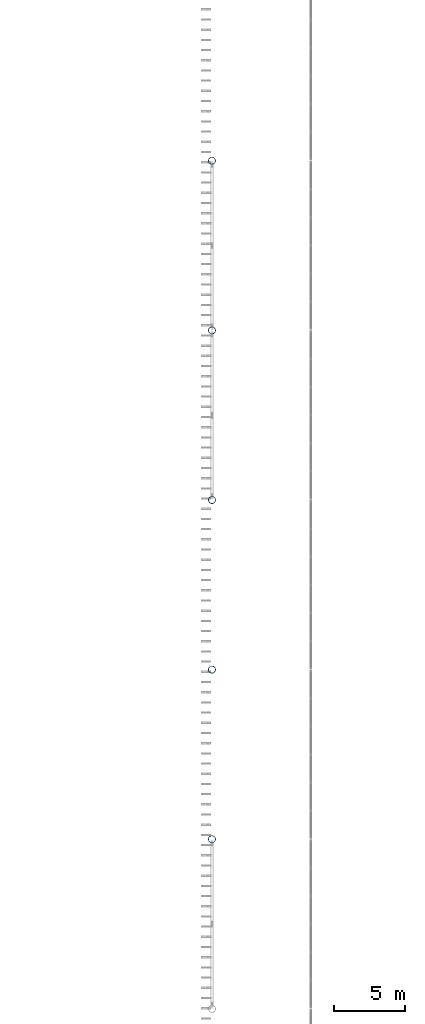
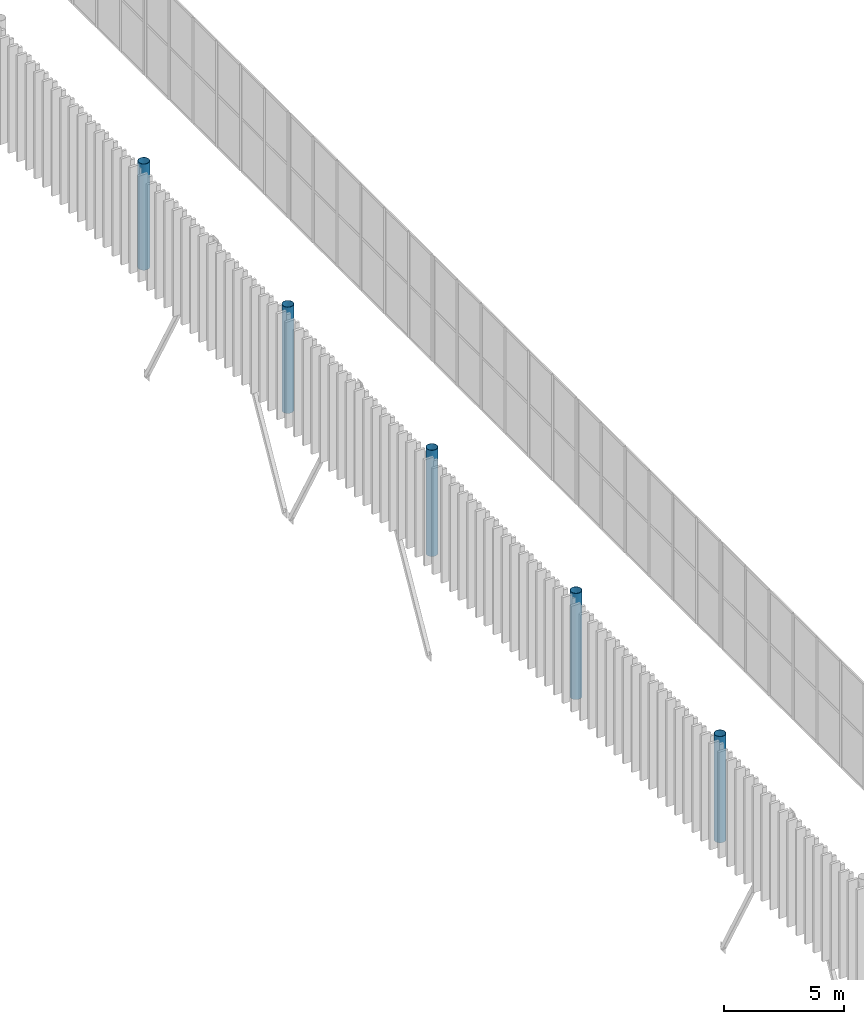
# One storey, part 4 of 170: 5 columns.
"""IFC4 building model written with IfcOpenShell, lengths in metres."""

import ifcopenshell
import ifcopenshell.guid

model = None  # the IFC model being written
_history = None  # IfcOwnerHistory: only IFC2X3 demands one
_inside = {}  # id of a spatial element -> (the spatial element, [elements in it])
_under = {}  # id of a project, library or spatial element -> (it, [spatial elements below it])
_declared = {}  # id of a project -> (the project, [libraries it declares])
_typed = {}  # id of a type object -> (the type object, [elements of that type])
_made_of = {}  # id of a material, layer set ... -> (it, [elements and type objects made of it])


def new_model(schema):
    """Start an empty IFC model of exactly this schema.

    Asked for "IFC4X3", IfcOpenShell would pick the latest addendum, in which some entities
    have other attributes; the version numbers below select the first issue.
    IFC2X3 requires an IfcOwnerHistory on every rooted entity: one is made here for all.
    """
    global model, _history
    if schema == "IFC4X3":
        model = ifcopenshell.file(schema_version=(4, 3, 0, 0))
    else:
        model = ifcopenshell.file(schema=schema)
    _inside.clear()
    _under.clear()
    _declared.clear()
    _typed.clear()
    _made_of.clear()
    _history = None
    if model.schema == "IFC2X3":
        org = make("IfcOrganization", Name="unknown")
        user = make(
            "IfcPersonAndOrganization",
            ThePerson=make("IfcPerson", FamilyName="unknown"),
            TheOrganization=org,
        )
        app = make(
            "IfcApplication",
            ApplicationDeveloper=org,
            Version="unknown",
            ApplicationFullName="unknown",
            ApplicationIdentifier="unknown",
        )
        _history = make(
            "IfcOwnerHistory",
            OwningUser=user,
            OwningApplication=app,
            ChangeAction="ADDED",
            CreationDate=0,
        )
    return model


def make(cls, **values):
    """One entity of the class cls with the attributes given. An attribute that is None is left unset."""
    return model.create_entity(
        cls, **{name: value for name, value in values.items() if value is not None}
    )


def rooted(cls, **values):
    """An entity with a GlobalId (a new one), such as an element, a storey or a relation."""
    return make(cls, GlobalId=ifcopenshell.guid.new(), OwnerHistory=_history, **values)


def si_unit(unit_type, name, prefix=None):
    """IfcSIUnit, for example si_unit("LENGTHUNIT", "METRE", prefix="MILLI")."""
    return make("IfcSIUnit", UnitType=unit_type, Prefix=prefix, Name=name)


def assignment(units):
    """IfcUnitAssignment: the units of a project."""
    return None if units is None else make("IfcUnitAssignment", Units=units)


def point(xyz):
    """IfcCartesianPoint."""
    return None if xyz is None else make("IfcCartesianPoint", Coordinates=xyz)


def direction(xyz):
    """IfcDirection."""
    return None if xyz is None else make("IfcDirection", DirectionRatios=xyz)


def frame(location, z_axis=None, x_axis=None):
    """IfcAxis2Placement3D, a coordinate frame: its origin and axes. An axis left out is left unset."""
    return make(
        "IfcAxis2Placement3D",
        Location=point(location),
        Axis=direction(z_axis),
        RefDirection=direction(x_axis),
    )


def frame_2d(location, x_axis=None):
    """IfcAxis2Placement2D, a coordinate frame in the plane: its origin and x axis."""
    return make(
        "IfcAxis2Placement2D", Location=point(location), RefDirection=direction(x_axis)
    )


def origin():
    """The frame at (0, 0, 0) with its axes left unset."""
    return frame((0.0, 0.0, 0.0))


def origin_2d():
    """The frame at (0, 0) in the plane with its x axis left unset."""
    return frame_2d((0.0, 0.0))


def place(relative_to, where):
    """IfcLocalPlacement: puts the frame where relative to a parent placement (None: the world)."""
    return make(
        "IfcLocalPlacement", PlacementRelTo=relative_to, RelativePlacement=where
    )


def context(
    kind, dimensions, precision=None, world=None, true_north=None, identifier=None
):
    """IfcGeometricRepresentationContext, for example the 3D "Model" context."""
    return make(
        "IfcGeometricRepresentationContext",
        ContextIdentifier=identifier,
        ContextType=kind,
        CoordinateSpaceDimension=dimensions,
        Precision=precision,
        WorldCoordinateSystem=world,
        TrueNorth=true_north,
    )


def subcontext(parent, identifier, kind, view, scale=None):
    """IfcGeometricRepresentationSubContext, for example "Body" below "Model"."""
    return make(
        "IfcGeometricRepresentationSubContext",
        ContextIdentifier=identifier,
        ContextType=kind,
        ParentContext=parent,
        TargetScale=scale,
        TargetView=view,
    )


def project(units=None, contexts=None):
    """IfcProject with its units and contexts."""
    return rooted(
        "IfcProject",
        Name="project",
        RepresentationContexts=contexts,
        UnitsInContext=assignment(units),
    )


def spatial(cls, under=None, at=None, **own):
    """A site, building, storey or space (cls), placed at a placement, below another one or the project."""
    s = rooted(cls, ObjectPlacement=at, **own)
    if under is not None:
        _under.setdefault(under.id(), (under, []))[1].append(s)
    return s


def profile(cls, at=None, kind="AREA", **sizes):
    """A parametric profile (cls). Its sizes go by their IFC names, for example OverallWidth=200.0."""
    return make(cls, ProfileType=kind, Position=at, **sizes)


def hollow_circle(**sizes):
    """IfcCircleHollowProfileDef."""
    return profile("IfcCircleHollowProfileDef", **sizes)


def extrude(swept, where, along, depth):
    """IfcExtrudedAreaSolid: the profile swept, set in the frame where, extruded along a direction by depth."""
    return make(
        "IfcExtrudedAreaSolid",
        SweptArea=swept,
        Position=where,
        ExtrudedDirection=direction(along),
        Depth=depth,
    )


def shape(context_of_items, identifier, shape_type, items):
    """IfcShapeRepresentation: the items that make up one representation, for example the "Body"."""
    return make(
        "IfcShapeRepresentation",
        ContextOfItems=context_of_items,
        RepresentationIdentifier=identifier,
        RepresentationType=shape_type,
        Items=items,
    )


def material(Name=None, Category=None):
    """IfcMaterial."""
    return make("IfcMaterial", Name=Name, Category=Category)


def material_profile(
    of_material, cross_section, Name=None, Category=None, Priority=None
):
    """IfcMaterialProfile: a cross section and its material."""
    return make(
        "IfcMaterialProfile",
        Name=Name,
        Material=of_material,
        Profile=cross_section,
        Priority=Priority,
        Category=Category,
    )


def profile_set(profiles, Name=None, composite=None):
    """IfcMaterialProfileSet."""
    return make(
        "IfcMaterialProfileSet",
        Name=Name,
        MaterialProfiles=profiles,
        CompositeProfile=composite,
    )


def made_of(thing, what):
    """Note that an element or type object is made of a material, layer set ...; save() writes the relation."""
    if what is not None:
        _made_of.setdefault(what.id(), (what, []))[1].append(thing)
    return thing


def type_object(cls, material=None, **own):
    """A type object (cls), such as IfcWallType, which elements share."""
    return made_of(rooted(cls, **own), material)


def element(
    cls,
    number,
    at=None,
    inside=None,
    cuts=None,
    type_object=None,
    material=None,
    context=None,
    identifier="Body",
    shape_type=None,
    held_by="IfcProductDefinitionShape",
    body=None,
    shapes=None,
    **own,
):
    """One element of the class cls, such as IfcWall. Its Tag is "e" and its number.

    at: its placement. inside: the storey or other place that contains it. cuts: it is an
    opening in that element (IfcRelVoidsElement). A single representation is given by context,
    identifier, shape_type and body (its items); several are given by shapes. held_by: the class
    of the entity that holds the representations. save() writes the other relations.
    """
    e = rooted(cls, Tag="e%d" % number, ObjectPlacement=at, **own)
    if body is not None:
        shapes = [shape(context, identifier, shape_type, body)]
    if shapes is not None:
        e.Representation = make(held_by, Representations=shapes)
    if inside is not None:
        _inside.setdefault(inside.id(), (inside, []))[1].append(e)
    if cuts is not None:
        rooted(
            "IfcRelVoidsElement", RelatingBuildingElement=cuts, RelatedOpeningElement=e
        )
    if type_object is not None:
        _typed.setdefault(type_object.id(), (type_object, []))[1].append(e)
    return made_of(e, material)


def aggregate(whole, parts):
    """IfcRelAggregates: a whole, such as a stair, and the parts it consists of."""
    return rooted("IfcRelAggregates", RelatingObject=whole, RelatedObjects=parts)


def save(model, path):
    """Write the relations noted so far, then the file.

    IfcRelAggregates (storeys below a building ...), IfcRelContainedInSpatialStructure (elements
    in a storey), IfcRelDefinesByType, IfcRelAssociatesMaterial and IfcRelDeclares: one each for
    every whole, place, type object, material and project.
    """
    for whole, parts in _under.values():
        aggregate(whole, parts)
    for where, things in _inside.values():
        rooted(
            "IfcRelContainedInSpatialStructure",
            RelatedElements=things,
            RelatingStructure=where,
        )
    for kind, things in _typed.values():
        rooted("IfcRelDefinesByType", RelatedObjects=things, RelatingType=kind)
    for what, things in _made_of.values():
        rooted("IfcRelAssociatesMaterial", RelatedObjects=things, RelatingMaterial=what)
    for by, libraries in _declared.values():
        rooted("IfcRelDeclares", RelatingContext=by, RelatedDefinitions=libraries)
    model.write(path)


model = new_model("IFC4")

# Units and contexts
model_context = context("Model", 3, precision=1e-05, world=origin(), true_north=direction((0.0, 1.0)))
body_context = subcontext(model_context, "Body", "Model", "MODEL_VIEW")
ifc_project = project(units=[si_unit("LENGTHUNIT", "METRE"), si_unit("AREAUNIT", "SQUARE_METRE"), si_unit("VOLUMEUNIT", "CUBIC_METRE"), si_unit("PLANEANGLEUNIT", "RADIAN"), si_unit("MASSUNIT", "GRAM", prefix="KILO")], contexts=[model_context])

# Site, building, storey
site_placement = place(None, origin())
site = spatial("IfcSite", under=ifc_project, at=site_placement, CompositionType="ELEMENT")
building_placement = place(site_placement, origin())
building = spatial("IfcBuilding", under=site, at=building_placement, Name="Ravi Spectrum Wholesale Market", CompositionType="ELEMENT")
storey_placement = place(building_placement, frame((0.0, 0.0, 5.39990234375)))
storey = spatial("IfcBuildingStorey", under=building, at=storey_placement, Name="L01", CompositionType="ELEMENT", Elevation=5.39990234375)

# Columns
ifc_material = material(Name="Steel S355", Category="steel")
ifc_material_profile = material_profile(ifc_material, hollow_circle(Radius=0.25390625, WallThickness=0.01611328125, at=origin_2d()))
ifc_profile_set = profile_set([ifc_material_profile], Name="Steel S355")
column_type = type_object("IfcColumnType", Name="CHS 508x16 column", PredefinedType="COLUMN", material=ifc_profile_set)
for number, where, z_axis, x_axis, name in (
    (1, (30.0, 78.0, 0.0), (0.0, 0.0, 1.0), (1.0, 0.0, 0.0), "H1-COL-L01-005"),
    (2, (30.0, 90.0, 0.0), (0.0, 0.0, 1.0), (1.0, 0.0, 0.0), "H1-COL-L01-006"),
    (3, (30.0, 102.0, 0.0), (0.0, 0.0, 1.0), (1.0, 0.0, 0.0), "H1-COL-L01-007"),
    (4, (30.0, 114.0, 0.0), (0.0, 0.0, 1.0), (1.0, 0.0, 0.0), "H1-COL-L01-008"),
    (5, (30.0, 126.0, 0.0), (0.0, 0.0, 1.0), (1.0, 0.0, 0.0), "H1-COL-L01-009"),
):
    element("IfcColumn", number, at=place(storey_placement, frame(where, z_axis=z_axis, x_axis=x_axis)), inside=storey, type_object=column_type, Name=name, PredefinedType="COLUMN", context=body_context, shape_type="SweptSolid", body=[
        extrude(hollow_circle(Radius=0.25390625, WallThickness=0.01611328125, at=origin_2d()), origin(), (0.0, 0.0, 1.0), 5.400146484375),
    ])

save(model, "model.ifc")
